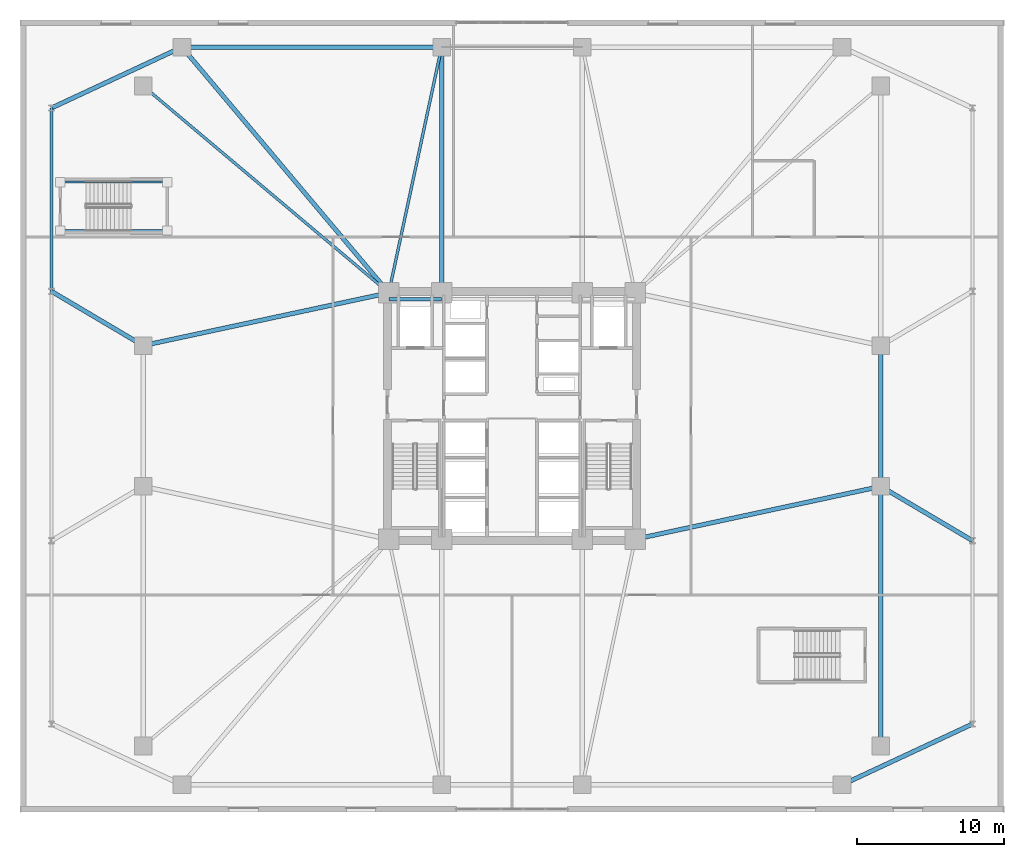
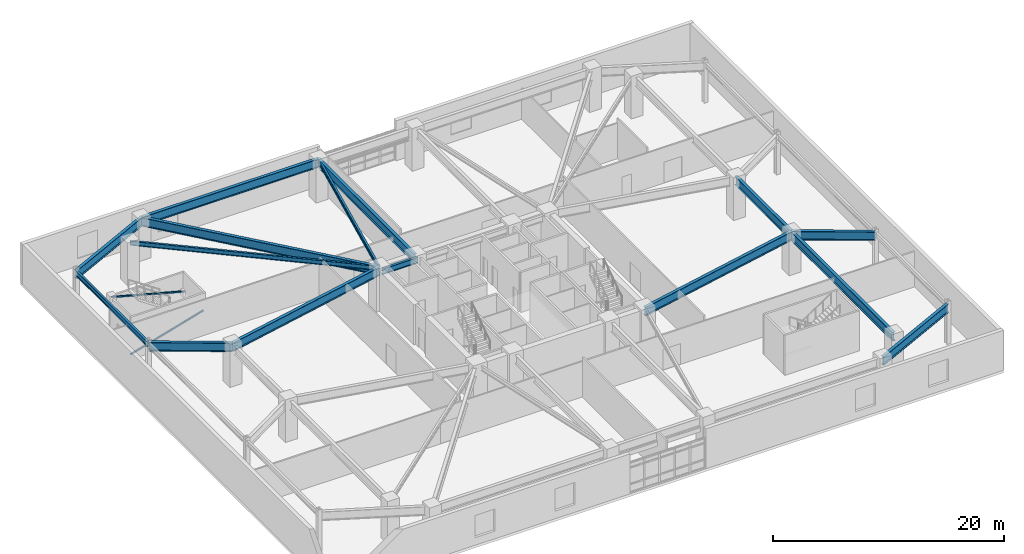
# One storey, part 6 of 21: 15 beams, 2 members.
"""IFC4 building model written with IfcOpenShell, lengths in metres."""

from ifc_helpers import new_model, si_unit, direction, frame, origin, origin_2d, place, context, subcontext, project, spatial, hollow_rectangle, i_section, extrude, material, material_profile, profile_set, type_object, element, save


model = new_model("IFC4")

# Units and contexts
model_context = context("Model", 3, precision=1e-05, world=origin(), true_north=direction((0.0, 1.0)))
body_context = subcontext(model_context, "Body", "Model", "MODEL_VIEW")
ifc_project = project(units=[si_unit("LENGTHUNIT", "METRE"), si_unit("AREAUNIT", "SQUARE_METRE"), si_unit("VOLUMEUNIT", "CUBIC_METRE"), si_unit("PLANEANGLEUNIT", "RADIAN"), si_unit("MASSUNIT", "GRAM", prefix="KILO")], contexts=[model_context])

# Site, building, storey
site_placement = place(None, origin())
site = spatial("IfcSite", under=ifc_project, at=site_placement, CompositionType="ELEMENT")
building_placement = place(site_placement, origin())
building = spatial("IfcBuilding", under=site, at=building_placement, Name="Cairnveth Concourse Tower", CompositionType="ELEMENT")
storey_placement = place(building_placement, frame((0.0, 0.0, 10.0)))
storey = spatial("IfcBuildingStorey", under=building, at=storey_placement, Name="L02", CompositionType="ELEMENT", Elevation=10.0)

# Members
ifc_material_1 = material(Name="Steel C350L0 (350 MPa)", Category="steel")
ifc_material_profile_1 = material_profile(ifc_material_1, hollow_rectangle(XDim=0.14990234375, YDim=0.14990234375, WallThickness=0.009033203125, InnerFilletRadius=0.009033203125, OuterFilletRadius=0.01806640625, at=origin_2d()), Name="150x150x9.0SHS")
ifc_profile_set_1 = profile_set([ifc_material_profile_1], Name="Steel C350L0 (350 MPa)")
member_type = type_object("IfcMemberType", Name="CONCOURSE STAIR STRINGER 150X150X9SHS", PredefinedType="STRINGER", material=ifc_profile_set_1)
member_1_placement = place(storey_placement, frame((21.2099609375, 51.64990234375, 0.14990234375), z_axis=(0.960820455852, 0.0, 0.277171520213), x_axis=(0.0, 1.0, 0.0)))
element("IfcMember", 1, at=member_1_placement, inside=storey, type_object=member_type, Name="Structural Brace STRG-5 L02", PredefinedType="STRINGER", context=body_context, shape_type="SweptSolid", body=[
    extrude(hollow_rectangle(XDim=0.14990234375, YDim=0.14990234375, WallThickness=0.009033203125, InnerFilletRadius=0.009033203125, OuterFilletRadius=0.01806640625, at=origin_2d()), origin(), (0.0, 0.0, 1.0), 7.576904296875),
])
member_2_placement = place(storey_placement, frame((28.489990234375, 54.949951171875, 2.25), z_axis=(-0.965949930914, 0.0, 0.258729068655), x_axis=(0.0, -1.0, 0.0)))
element("IfcMember", 2, at=member_2_placement, inside=storey, type_object=member_type, Name="Structural Brace STRG-6 L02", PredefinedType="STRINGER", context=body_context, shape_type="SweptSolid", body=[
    extrude(hollow_rectangle(XDim=0.14990234375, YDim=0.14990234375, WallThickness=0.009033203125, InnerFilletRadius=0.009033203125, OuterFilletRadius=0.01806640625, at=origin_2d()), origin(), (0.0, 0.0, 1.0), 7.53662109375),
])

# Beams
ifc_material_2 = material(Name="Steel Grade 350", Category="steel")
ifc_material_profile_2 = material_profile(ifc_material_2, i_section(OverallWidth=0.22802734375, OverallDepth=0.60693359375, WebThickness=0.01123046875, FlangeThickness=0.017333984375, FilletRadius=0.013916015625, at=origin_2d()), Name="610UB113")
ifc_profile_set_2 = profile_set([ifc_material_profile_2], Name="Steel Grade 350")
beam_type_1 = type_object("IfcBeamType", Name="CORE TIE BEAM 610UB113", PredefinedType="T_BEAM", material=ifc_profile_set_2)
beam_1_placement = place(storey_placement, frame((43.60009765625, 46.949951171875, 3.91650390625), z_axis=(1.0, 0.0, 0.0), x_axis=(0.0, 1.0, 0.0)))
element("IfcBeam", 3, at=beam_1_placement, inside=storey, type_object=beam_type_1, Name="Beam CT-N1 L02", PredefinedType="T_BEAM", context=body_context, shape_type="SweptSolid", body=[
    extrude(i_section(OverallWidth=0.22802734375, OverallDepth=0.60693359375, WebThickness=0.01123046875, FlangeThickness=0.017333984375, FilletRadius=0.013916015625, at=origin_2d()), origin(), (0.0, 0.0, 1.0), 3.599853515625),
])
ifc_material_profile_3 = material_profile(ifc_material_2, i_section(OverallWidth=0.208984375, OverallDepth=0.532958984375, WebThickness=0.01025390625, FlangeThickness=0.015625, FilletRadius=0.013916015625, at=origin_2d()), Name="530UB92.4")
ifc_profile_set_3 = profile_set([ifc_material_profile_3], Name="Steel Grade 350")
beam_type_2 = type_object("IfcBeamType", Name="PODIUM EDGE SPANDREL 530UB92.4", PredefinedType="SPANDREL", material=ifc_profile_set_3)
beam_2_placement = place(storey_placement, frame((20.60009765625, 47.5, 3.95361328125), z_axis=(0.0, 1.0, 0.0), x_axis=(-1.0, 0.0, 0.0)))
element("IfcBeam", 4, at=beam_2_placement, inside=storey, type_object=beam_type_2, Name="Beam PSP-W3 L02", PredefinedType="SPANDREL", context=body_context, shape_type="SweptSolid", body=[
    extrude(i_section(OverallWidth=0.208984375, OverallDepth=0.532958984375, WebThickness=0.01025390625, FlangeThickness=0.015625, FilletRadius=0.013916015625, at=origin_2d()), origin(), (0.0, 0.0, 1.0), 12.5),
])
ifc_material_profile_4 = material_profile(ifc_material_2, i_section(OverallWidth=0.18994140625, OverallDepth=0.45703125, WebThickness=0.009033203125, FlangeThickness=0.014404296875, FilletRadius=0.010986328125, at=origin_2d()), Name="460UB74.6")
ifc_profile_set_4 = profile_set([ifc_material_profile_4], Name="Steel Grade 350")
beam_type_3 = type_object("IfcBeamType", Name="PODIUM FLOOR JOIST 460UB74.6", PredefinedType="JOIST", material=ifc_profile_set_4)
beam_3_placement = place(storey_placement, frame((26.85009765625, 61.5, 3.991455078125), z_axis=(0.765027427674, -0.643997697905, 0.0), x_axis=(0.643997697905, 0.765027427674, 0.0)))
element("IfcBeam", 5, at=beam_3_placement, inside=storey, type_object=beam_type_3, Name="Beam PJ-NW1 L02", PredefinedType="JOIST", context=body_context, shape_type="SweptSolid", body=[
    extrude(i_section(OverallWidth=0.18994140625, OverallDepth=0.45703125, WebThickness=0.009033203125, FlangeThickness=0.014404296875, FilletRadius=0.010986328125, at=origin_2d()), origin(), (0.0, 0.0, 1.0), 21.89453125),
])
beam_4_placement = place(storey_placement, frame((43.60009765625, 47.39990234375, 3.991455078125), z_axis=(0.210118799239, 0.977675861524, 0.0), x_axis=(-0.977675861524, 0.210118799239, 0.0)))
element("IfcBeam", 6, at=beam_4_placement, inside=storey, type_object=beam_type_3, Name="Beam PJ-N-X L02", PredefinedType="JOIST", context=body_context, shape_type="SweptSolid", body=[
    extrude(i_section(OverallWidth=0.18994140625, OverallDepth=0.45703125, WebThickness=0.009033203125, FlangeThickness=0.014404296875, FilletRadius=0.010986328125, at=origin_2d()), origin(), (0.0, 0.0, 1.0), 17.132568359375),
])
ifc_material_profile_5 = material_profile(ifc_material_2, i_section(OverallWidth=0.300048828125, OverallDepth=0.924072265625, WebThickness=0.013916015625, FlangeThickness=0.031982421875, at=origin_2d()), Name="900WB257")
ifc_profile_set_5 = profile_set([ifc_material_profile_5], Name="Steel Grade 350")
beam_type_4 = type_object("IfcBeamType", Name="PODIUM PRIMARY GIRDER 900WB257", PredefinedType="BEAM", material=ifc_profile_set_5)
for number, where, z_axis, x_axis, name in (
    (7, (74.5, 13.85009765625, 3.758056640625), (0.906315208572, 0.422602345842, 0.0), (-0.422602345842, 0.906315208572, 0.0), "Beam PG-E-S L02"),
    (8, (20.60009765625, 60.0, 3.758056640625), (0.906315208572, 0.422602345842, 0.0), (-0.422602345842, 0.906315208572, 0.0), "Beam PG-W-N L02"),
):
    element("IfcBeam", number, at=place(storey_placement, frame(where, z_axis=z_axis, x_axis=x_axis)), inside=storey, type_object=beam_type_4, Name=name, PredefinedType="BEAM", context=body_context, shape_type="SweptSolid", body=[
        extrude(i_section(OverallWidth=0.300048828125, OverallDepth=0.924072265625, WebThickness=0.013916015625, FlangeThickness=0.031982421875, at=origin_2d()), origin(), (0.0, 0.0, 1.0), 9.81982421875),
    ])
beam_5_placement = place(storey_placement, frame((20.60009765625, 47.5, 3.758056640625), z_axis=(0.860518044459, -0.509419959523, 0.0), x_axis=(0.509419959523, 0.860518044459, 0.0)))
element("IfcBeam", 9, at=beam_5_placement, inside=storey, type_object=beam_type_4, Name="Beam PG-W2 L02", PredefinedType="BEAM", context=body_context, shape_type="SweptSolid", body=[
    extrude(i_section(OverallWidth=0.300048828125, OverallDepth=0.924072265625, WebThickness=0.013916015625, FlangeThickness=0.031982421875, at=origin_2d()), origin(), (0.0, 0.0, 1.0), 7.26318359375),
])
for number, where, z_axis, x_axis, name in (
    (10, (26.85009765625, 43.800048828125, 3.758056640625), (0.977675861524, 0.210118799239, 0.0), (-0.210118799239, 0.977675861524, 0.0), "Beam PG-W2B L02"),
    (11, (60.39990234375, 30.60009765625, 3.758056640625), (0.977675861524, 0.210118799239, 0.0), (-0.210118799239, 0.977675861524, 0.0), "Beam PG-E1 L02"),
):
    element("IfcBeam", number, at=place(storey_placement, frame(where, z_axis=z_axis, x_axis=x_axis)), inside=storey, type_object=beam_type_4, Name=name, PredefinedType="BEAM", context=body_context, shape_type="SweptSolid", body=[
        extrude(i_section(OverallWidth=0.300048828125, OverallDepth=0.924072265625, WebThickness=0.013916015625, FlangeThickness=0.031982421875, at=origin_2d()), origin(), (0.0, 0.0, 1.0), 17.132568359375),
    ])
beam_6_placement = place(storey_placement, frame((77.14990234375, 34.199951171875, 3.758056640625), z_axis=(0.860518044459, -0.509419959523, 0.0), x_axis=(0.509419959523, 0.860518044459, 0.0)))
element("IfcBeam", 12, at=beam_6_placement, inside=storey, type_object=beam_type_4, Name="Beam PG-E1B L02", PredefinedType="BEAM", context=body_context, shape_type="SweptSolid", body=[
    extrude(i_section(OverallWidth=0.300048828125, OverallDepth=0.924072265625, WebThickness=0.013916015625, FlangeThickness=0.031982421875, at=origin_2d()), origin(), (0.0, 0.0, 1.0), 7.26318359375),
])
beam_7_placement = place(storey_placement, frame((47.199951171875, 47.39990234375, 3.758056640625), z_axis=(0.0, 1.0, 0.0), x_axis=(-1.0, 0.0, 0.0)))
element("IfcBeam", 13, at=beam_7_placement, inside=storey, type_object=beam_type_4, Name="Beam PG-N1 L02", PredefinedType="BEAM", context=body_context, shape_type="SweptSolid", body=[
    extrude(i_section(OverallWidth=0.300048828125, OverallDepth=0.924072265625, WebThickness=0.013916015625, FlangeThickness=0.031982421875, at=origin_2d()), origin(), (0.0, 0.0, 1.0), 16.75),
])
beam_8_placement = place(storey_placement, frame((29.5, 64.14990234375, 3.758056640625), z_axis=(0.643997697905, -0.765027427674, 0.0), x_axis=(0.765027427674, 0.643997697905, 0.0)))
element("IfcBeam", 14, at=beam_8_placement, inside=storey, type_object=beam_type_4, Name="Beam PG-CNW L02", PredefinedType="BEAM", context=body_context, shape_type="SweptSolid", body=[
    extrude(i_section(OverallWidth=0.300048828125, OverallDepth=0.924072265625, WebThickness=0.013916015625, FlangeThickness=0.031982421875, at=origin_2d()), origin(), (0.0, 0.0, 1.0), 21.89453125),
])
for number, where, z_axis, x_axis, name in (
    (15, (29.5, 64.14990234375, 3.758056640625), (1.0, 0.0, 0.0), (0.0, 1.0, 0.0), "Beam PR-N1 L02"),
    (16, (77.14990234375, 16.5, 3.758056640625), (0.0, 1.0, 0.0), (-1.0, 0.0, 0.0), "Beam PR-E1 L02"),
):
    element("IfcBeam", number, at=place(storey_placement, frame(where, z_axis=z_axis, x_axis=x_axis)), inside=storey, type_object=beam_type_4, Name=name, PredefinedType="BEAM", context=body_context, shape_type="SweptSolid", body=[
        extrude(i_section(OverallWidth=0.300048828125, OverallDepth=0.924072265625, WebThickness=0.013916015625, FlangeThickness=0.031982421875, at=origin_2d()), origin(), (0.0, 0.0, 1.0), 17.699951171875),
    ])
beam_9_placement = place(storey_placement, frame((77.14990234375, 34.199951171875, 3.758056640625), z_axis=(0.0, 1.0, 0.0), x_axis=(-1.0, 0.0, 0.0)))
element("IfcBeam", 17, at=beam_9_placement, inside=storey, type_object=beam_type_4, Name="Beam PR-E2 L02", PredefinedType="BEAM", context=body_context, shape_type="SweptSolid", body=[
    extrude(i_section(OverallWidth=0.300048828125, OverallDepth=0.924072265625, WebThickness=0.013916015625, FlangeThickness=0.031982421875, at=origin_2d()), origin(), (0.0, 0.0, 1.0), 9.60009765625),
])

save(model, "model.ifc")
